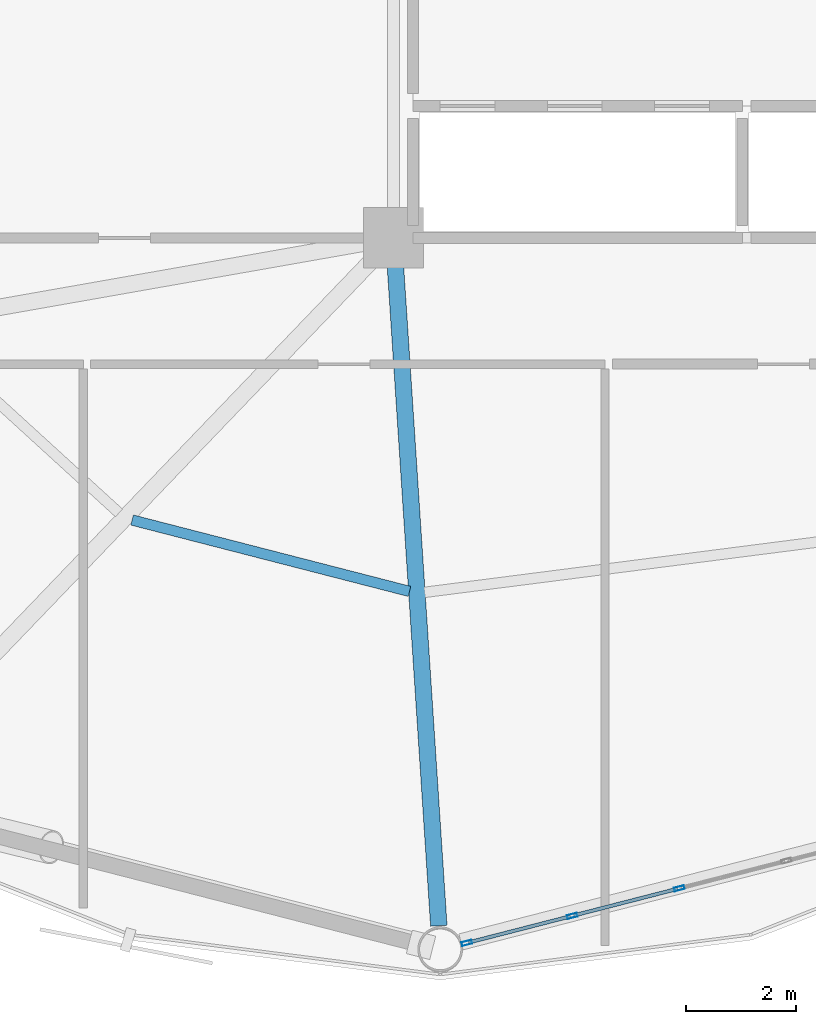
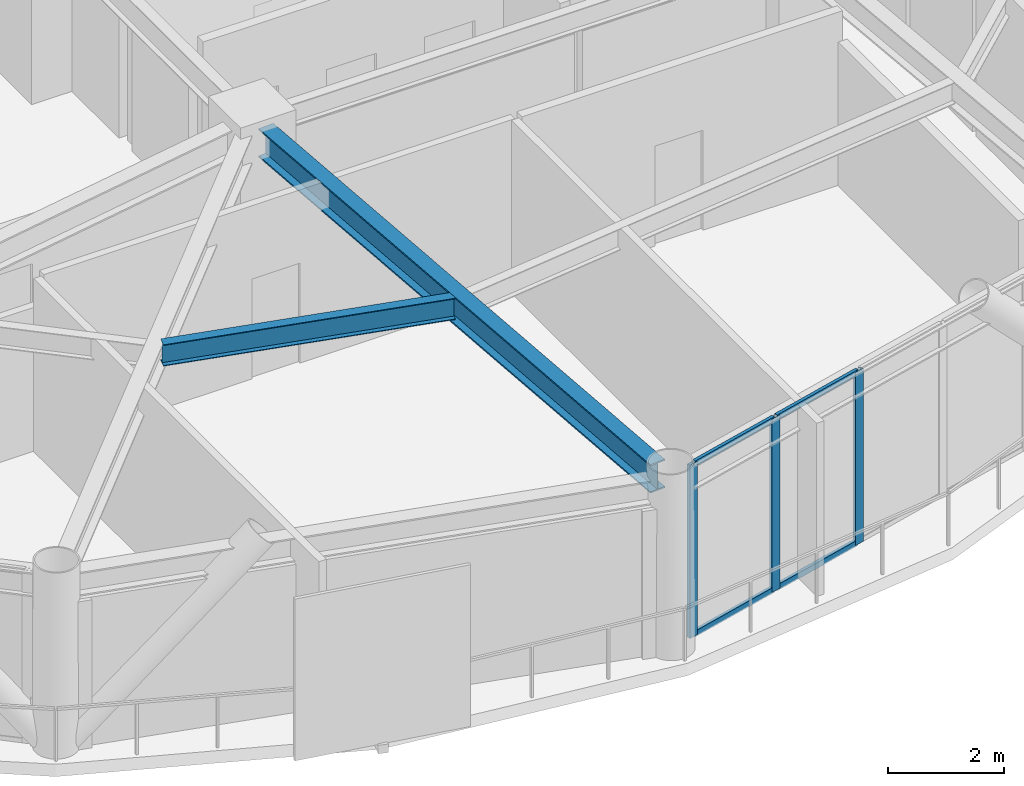
# One storey, part 6 of 24: 7 members, 2 beams, 1 element without a shape of its own.
"""IFC4 building model written with IfcOpenShell, lengths in metres."""

from ifc_helpers import new_model, si_unit, direction, frame, origin, origin_2d, place, context, subcontext, project, spatial, hollow_rectangle, i_section, extrude, material, layer, layer_set, material_profile, profile_set, type_object, element, aggregate, save


model = new_model("IFC4")

# Units and contexts
model_context = context("Model", 3, precision=1e-05, world=origin(), true_north=direction((0.0, 1.0)))
body_context = subcontext(model_context, "Body", "Model", "MODEL_VIEW")
ifc_project = project(units=[si_unit("LENGTHUNIT", "METRE"), si_unit("AREAUNIT", "SQUARE_METRE"), si_unit("VOLUMEUNIT", "CUBIC_METRE"), si_unit("PLANEANGLEUNIT", "RADIAN"), si_unit("MASSUNIT", "GRAM", prefix="KILO")], contexts=[model_context])

# Site, building, storey
site_placement = place(None, origin())
site = spatial("IfcSite", under=ifc_project, at=site_placement, CompositionType="ELEMENT")
building_placement = place(site_placement, origin())
building = spatial("IfcBuilding", under=site, at=building_placement, Name="Varnakorn Sky Granary", CompositionType="ELEMENT")
storey_placement = place(building_placement, frame((0.0, 0.0, 111.0)))
storey = spatial("IfcBuildingStorey", under=building, at=storey_placement, Name="L27", CompositionType="ELEMENT", Elevation=111.0)

# Beams
ifc_material_1 = material(Name="Steel S355JR", Category="steel")
ifc_material_profile_1 = material_profile(ifc_material_1, i_section(OverallWidth=0.300048828125, OverallDepth=0.60009765625, WebThickness=0.015380859375, FlangeThickness=0.030029296875, at=origin_2d()), Name="HE 600 B")
ifc_profile_set_1 = profile_set([ifc_material_profile_1], Name="Steel S355JR")
beam_type_1 = type_object("IfcBeamType", Name="BM-RAD-Z2", PredefinedType="BEAM", material=ifc_profile_set_1)
beam_1_placement = place(storey_placement, frame((-2.322509765625, -7.01904296875, 3.340087890625), z_axis=(0.065676291348, -0.997840981697, 0.0), x_axis=(0.997840981697, 0.065676291348, 0.0)))
element("IfcBeam", 1, at=beam_1_placement, inside=storey, type_object=beam_type_1, Name="Radial Floor Girder RG10 L27", PredefinedType="BEAM", context=body_context, shape_type="SweptSolid", body=[
    extrude(i_section(OverallWidth=0.300048828125, OverallDepth=0.60009765625, WebThickness=0.015380859375, FlangeThickness=0.030029296875, at=origin_2d()), origin(), (0.0, 0.0, 1.0), 12.13330078125),
])
ifc_material_profile_2 = material_profile(ifc_material_1, i_section(OverallWidth=0.18994140625, OverallDepth=0.449951171875, WebThickness=0.009521484375, FlangeThickness=0.0146484375, at=origin_2d()), Name="IPE 450")
ifc_profile_set_2 = profile_set([ifc_material_profile_2], Name="Steel S355JR")
beam_type_2 = type_object("IfcBeamType", Name="BM-SEC-Z2", PredefinedType="BEAM", material=ifc_profile_set_2)
beam_2_placement = place(storey_placement, frame((-7.111328125, -11.73779296875, 3.4150390625), z_axis=(0.968445502925, -0.249225415768, 0.0), x_axis=(0.249225415768, 0.968445502925, 0.0)))
element("IfcBeam", 2, at=beam_2_placement, inside=storey, type_object=beam_type_2, Name="Secondary Floor Chord Beam MSB09 L27", PredefinedType="BEAM", context=body_context, shape_type="SweptSolid", body=[
    extrude(i_section(OverallWidth=0.18994140625, OverallDepth=0.449951171875, WebThickness=0.009521484375, FlangeThickness=0.0146484375, at=origin_2d()), origin(), (0.0, 0.0, 1.0), 5.21630859375),
])

# Curtain wall, members
ifc_material_2 = material(Name="Anodised Bronze Aluminium Alloy 6063-T6", Category="aluminium")
ifc_layer = layer(ifc_material_2, 0.179931640625, Name="Anodised Bronze Aluminium Alloy 6063-T6")
ifc_layer_set = layer_set([ifc_layer], Name="Anodised Bronze Aluminium Alloy 6063-T6")
curtain_wall_type = type_object("IfcCurtainWallType", Name="CW-FRM-2", PredefinedType="USERDEFINED", material=ifc_layer_set)
curtain_wall_placement = place(storey_placement, origin())
curtain_wall = element("IfcCurtainWall", 3, at=curtain_wall_placement, inside=storey, type_object=curtain_wall_type, Name="Unitised Curtain Wall CW4 CW-L27-B10", ObjectType="CURTAIN WALL", PredefinedType="USERDEFINED")
ifc_material_profile_3 = material_profile(ifc_material_2, hollow_rectangle(XDim=0.070068359375, YDim=0.18505859375, WallThickness=0.00390625, at=origin_2d()), Name="ALU MULL 70x185")
ifc_profile_set_3 = profile_set([ifc_material_profile_3], Name="Anodised Bronze Aluminium Alloy 6063-T6")
member_type_1 = type_object("IfcMemberType", Name="CW-FRM-2-MULL", PredefinedType="MULLION", material=ifc_profile_set_3)
member_1_placement = place(storey_placement, frame((2.853271484375, -18.445556640625, 0.0), z_axis=(0.0, 0.0, 1.0), x_axis=(0.248822553629, -0.968549088485, 0.0)))
member_1 = element("IfcMember", 4, at=member_1_placement, type_object=member_type_1, Name="CW4 mullion 4", PredefinedType="MULLION", context=body_context, shape_type="SweptSolid", body=[
    extrude(hollow_rectangle(XDim=0.070068359375, YDim=0.18505859375, WallThickness=0.00390625, at=origin_2d()), origin(), (0.0, 0.0, 1.0), 3.639892578125),
])
member_2_placement = place(storey_placement, frame((0.902587890625, -18.94677734375, 0.0), z_axis=(0.0, 0.0, 1.0), x_axis=(0.248822553629, -0.968549088485, 0.0)))
member_2 = element("IfcMember", 5, at=member_2_placement, type_object=member_type_1, Name="CW4 mullion 5", PredefinedType="MULLION", context=body_context, shape_type="SweptSolid", body=[
    extrude(hollow_rectangle(XDim=0.070068359375, YDim=0.18505859375, WallThickness=0.00390625, at=origin_2d()), origin(), (0.0, 0.0, 1.0), 3.639892578125),
])
member_3_placement = place(storey_placement, frame((-1.014404296875, -19.439208984375, 0.0), z_axis=(0.0, 0.0, 1.0), x_axis=(0.248822553629, -0.968549088485, 0.0)))
member_3 = element("IfcMember", 6, at=member_3_placement, type_object=member_type_1, Name="CW4 mullion 6", PredefinedType="MULLION", context=body_context, shape_type="SweptSolid", body=[
    extrude(hollow_rectangle(XDim=0.070068359375, YDim=0.18505859375, WallThickness=0.00390625, at=origin_2d()), origin(), (0.0, 0.0, 1.0), 3.639892578125),
])
ifc_material_profile_4 = material_profile(ifc_material_2, hollow_rectangle(XDim=0.06494140625, YDim=0.1201171875, WallThickness=0.00341796875, at=origin_2d()), Name="ALU TRAN 65x120")
ifc_profile_set_4 = profile_set([ifc_material_profile_4], Name="Anodised Bronze Aluminium Alloy 6063-T6")
member_type_2 = type_object("IfcMemberType", Name="CW-FRM-2-TRAN", PredefinedType="USERDEFINED", material=ifc_profile_set_4)
member_4_placement = place(storey_placement, frame((2.819580078125, -18.454345703125, 0.032470703125), z_axis=(-0.968563854018, -0.248765071283, 0.0), x_axis=(0.248765071283, -0.968563854018, 0.0)))
member_4 = element("IfcMember", 7, at=member_4_placement, type_object=member_type_2, Name="CW4 transom 4.1", ObjectType="TRANSOM", PredefinedType="USERDEFINED", context=body_context, shape_type="SweptSolid", body=[
    extrude(hollow_rectangle(XDim=0.06494140625, YDim=0.1201171875, WallThickness=0.00341796875, at=origin_2d()), origin(), (0.0, 0.0, 1.0), 1.944091796875),
])
member_5_placement = place(storey_placement, frame((2.819580078125, -18.454345703125, 3.607421875), z_axis=(-0.968563854018, -0.248765071283, 0.0), x_axis=(0.248765071283, -0.968563854018, 0.0)))
member_5 = element("IfcMember", 8, at=member_5_placement, type_object=member_type_2, Name="CW4 transom 4.2", ObjectType="TRANSOM", PredefinedType="USERDEFINED", context=body_context, shape_type="SweptSolid", body=[
    extrude(hollow_rectangle(XDim=0.06494140625, YDim=0.1201171875, WallThickness=0.00341796875, at=origin_2d()), origin(), (0.0, 0.0, 1.0), 1.944091796875),
])
member_6_placement = place(storey_placement, frame((0.86865234375, -18.95556640625, 0.032470703125), z_axis=(-0.96857307748, -0.248729157077, 0.0), x_axis=(0.248729157077, -0.96857307748, 0.0)))
member_6 = element("IfcMember", 9, at=member_6_placement, type_object=member_type_2, Name="CW4 transom 5.1", ObjectType="TRANSOM", PredefinedType="USERDEFINED", context=body_context, shape_type="SweptSolid", body=[
    extrude(hollow_rectangle(XDim=0.06494140625, YDim=0.1201171875, WallThickness=0.00341796875, at=origin_2d()), origin(), (0.0, 0.0, 1.0), 1.9091796875),
])
member_7_placement = place(storey_placement, frame((0.86865234375, -18.95556640625, 3.607421875), z_axis=(-0.96857307748, -0.248729157077, 0.0), x_axis=(0.248729157077, -0.96857307748, 0.0)))
member_7 = element("IfcMember", 10, at=member_7_placement, type_object=member_type_2, Name="CW4 transom 5.2", ObjectType="TRANSOM", PredefinedType="USERDEFINED", context=body_context, shape_type="SweptSolid", body=[
    extrude(hollow_rectangle(XDim=0.06494140625, YDim=0.1201171875, WallThickness=0.00341796875, at=origin_2d()), origin(), (0.0, 0.0, 1.0), 1.9091796875),
])
aggregate(curtain_wall, [member_1, member_2, member_3, member_4, member_5, member_6, member_7])

save(model, "model.ifc")
